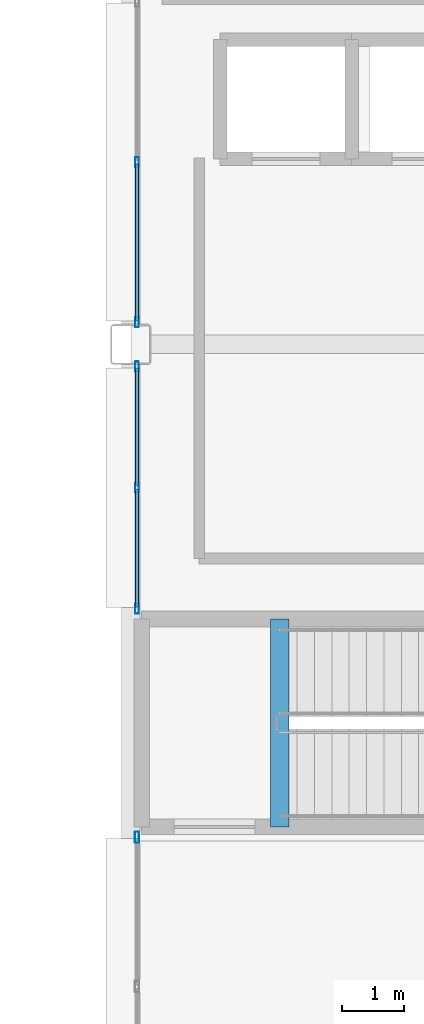
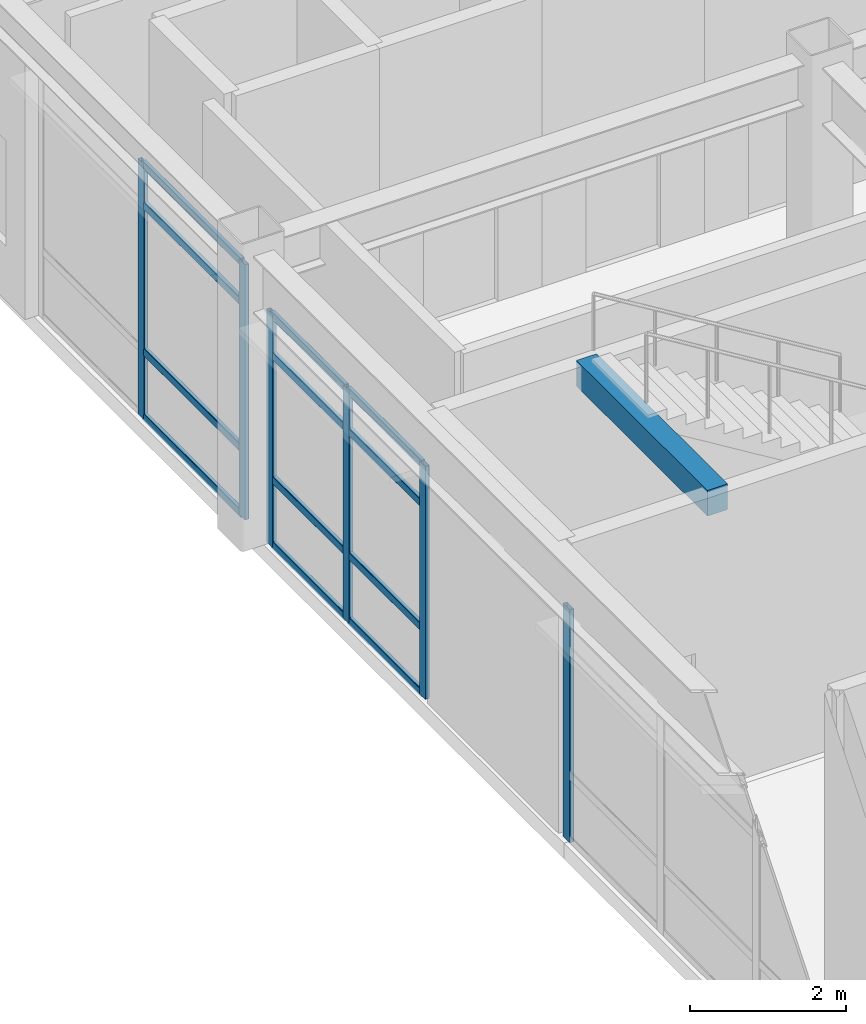
# One storey, part 58 of 93: 18 members, 1 beam, 3 elements without a shape of their own.
"""IFC4 building model written with IfcOpenShell, lengths in metres."""

from ifc_helpers import new_model, si_unit, direction, frame, origin, origin_2d, place, context, subcontext, project, spatial, rectangle, hollow_rectangle, extrude, material, layer, layer_set, material_profile, profile_set, type_object, element, aggregate, save


model = new_model("IFC4")

# Units and contexts
model_context = context("Model", 3, precision=1e-05, world=origin(), true_north=direction((0.0, 1.0)))
body_context = subcontext(model_context, "Body", "Model", "MODEL_VIEW")
ifc_project = project(units=[si_unit("LENGTHUNIT", "METRE"), si_unit("AREAUNIT", "SQUARE_METRE"), si_unit("VOLUMEUNIT", "CUBIC_METRE"), si_unit("PLANEANGLEUNIT", "RADIAN"), si_unit("MASSUNIT", "GRAM", prefix="KILO")], contexts=[model_context])

# Site, building, storey
site_placement = place(None, origin())
site = spatial("IfcSite", under=ifc_project, at=site_placement, CompositionType="ELEMENT")
building_placement = place(site_placement, origin())
building = spatial("IfcBuilding", under=site, at=building_placement, Name="Kazehara Bluff Congress Hotel", CompositionType="ELEMENT")
storey_placement = place(building_placement, frame((0.0, 0.0, 15.0)))
storey = spatial("IfcBuildingStorey", under=building, at=storey_placement, Name="L03", CompositionType="ELEMENT", Elevation=15.0)

# Curtain wall, members
ifc_material_1 = material(Name="Anodised aluminium", Category="aluminium")
ifc_layer_1 = layer(ifc_material_1, 0.159912109375)
ifc_layer_set_1 = layer_set([ifc_layer_1], Name="Anodised aluminium")
curtain_wall_type_1 = type_object("IfcCurtainWallType", Name="TP-CW-150", PredefinedType="NOTDEFINED", material=ifc_layer_set_1)
curtain_wall_1_placement = place(storey_placement, origin())
curtain_wall_1 = element("IfcCurtainWall", 1, at=curtain_wall_1_placement, inside=storey, type_object=curtain_wall_type_1, Name="L03 curtain wall CW-150 CW-ENC-V5-L03-14380-5414", PredefinedType="NOTDEFINED")
ifc_material_2 = material(Name="Anodised aluminium", Category="aluminium")
ifc_material_profile_1 = material_profile(ifc_material_2, hollow_rectangle(XDim=0.06005859375, YDim=0.159912109375, WallThickness=0.00390625, InnerFilletRadius=0.00390625, OuterFilletRadius=0.008056640625, at=origin_2d()))
ifc_profile_set_1 = profile_set([ifc_material_profile_1], Name="Anodised aluminium")
member_type_1 = type_object("IfcMemberType", Name="TP-CWM-01", PredefinedType="MULLION", material=ifc_profile_set_1)
member_1_placement = place(storey_placement, frame((143.800048828125, 52.18994140625, 0.0), z_axis=(0.0, 0.0, 1.0), x_axis=(-1.0, 0.0, 0.0)))
member_1 = element("IfcMember", 2, at=member_1_placement, type_object=member_type_1, Name="CW-150 mullion 1", PredefinedType="MULLION", context=body_context, shape_type="SweptSolid", body=[
    extrude(hollow_rectangle(XDim=0.06005859375, YDim=0.159912109375, WallThickness=0.00390625, InnerFilletRadius=0.00390625, OuterFilletRadius=0.008056640625, at=origin_2d()), origin(), (0.0, 0.0, 1.0), 3.635009765625),
])
member_2_placement = place(storey_placement, frame((143.800048828125, 54.142578125, 0.0), z_axis=(0.0, 0.0, 1.0), x_axis=(-1.0, 0.0, 0.0)))
member_2 = element("IfcMember", 3, at=member_2_placement, type_object=member_type_1, Name="CW-150 mullion 2", PredefinedType="MULLION", context=body_context, shape_type="SweptSolid", body=[
    extrude(hollow_rectangle(XDim=0.06005859375, YDim=0.159912109375, WallThickness=0.00390625, InnerFilletRadius=0.00390625, OuterFilletRadius=0.008056640625, at=origin_2d()), origin(), (0.0, 0.0, 1.0), 3.635009765625),
])
member_3_placement = place(storey_placement, frame((143.800048828125, 56.094970703125, 0.0), z_axis=(0.0, 0.0, 1.0), x_axis=(-1.0, 0.0, 0.0)))
member_3 = element("IfcMember", 4, at=member_3_placement, type_object=member_type_1, Name="CW-150 mullion 3", PredefinedType="MULLION", context=body_context, shape_type="SweptSolid", body=[
    extrude(hollow_rectangle(XDim=0.06005859375, YDim=0.159912109375, WallThickness=0.00390625, InnerFilletRadius=0.00390625, OuterFilletRadius=0.008056640625, at=origin_2d()), origin(), (0.0, 0.0, 1.0), 3.635009765625),
])

ifc_material_3 = material(Name="Anodised aluminium", Category="aluminium")
ifc_layer_2 = layer(ifc_material_3, 0.159912109375)
ifc_layer_set_2 = layer_set([ifc_layer_2], Name="Anodised aluminium")
curtain_wall_type_2 = type_object("IfcCurtainWallType", Name="TP-CW-151", PredefinedType="NOTDEFINED", material=ifc_layer_set_2)
curtain_wall_2_placement = place(storey_placement, origin())
curtain_wall_2 = element("IfcCurtainWall", 5, at=curtain_wall_2_placement, inside=storey, type_object=curtain_wall_type_2, Name="L03 curtain wall CW-151 CW-ENC-V5-L03-14380-5939", PredefinedType="NOTDEFINED")
member_4_placement = place(storey_placement, frame((143.800048828125, 56.804931640625, 0.0), z_axis=(0.0, 0.0, 1.0), x_axis=(-1.0, 0.0, 0.0)))
member_4 = element("IfcMember", 6, at=member_4_placement, type_object=member_type_1, Name="CW-151 mullion 1", PredefinedType="MULLION", context=body_context, shape_type="SweptSolid", body=[
    extrude(hollow_rectangle(XDim=0.06005859375, YDim=0.159912109375, WallThickness=0.00390625, InnerFilletRadius=0.00390625, OuterFilletRadius=0.008056640625, at=origin_2d()), origin(), (0.0, 0.0, 1.0), 3.985107421875),
])
member_5_placement = place(storey_placement, frame((143.800048828125, 59.387451171875, 0.0), z_axis=(0.0, 0.0, 1.0), x_axis=(-1.0, 0.0, 0.0)))
member_5 = element("IfcMember", 7, at=member_5_placement, type_object=member_type_1, Name="CW-151 mullion 2", PredefinedType="MULLION", context=body_context, shape_type="SweptSolid", body=[
    extrude(hollow_rectangle(XDim=0.06005859375, YDim=0.159912109375, WallThickness=0.00390625, InnerFilletRadius=0.00390625, OuterFilletRadius=0.008056640625, at=origin_2d()), origin(), (0.0, 0.0, 1.0), 3.985107421875),
])

# Curtain wall, member
ifc_material_4 = material(Name="Anodised aluminium", Category="aluminium")
ifc_layer_3 = layer(ifc_material_4, 0.159912109375)
ifc_layer_set_3 = layer_set([ifc_layer_3], Name="Anodised aluminium")
curtain_wall_type_3 = type_object("IfcCurtainWallType", Name="TP-CW-149", PredefinedType="NOTDEFINED", material=ifc_layer_set_3)
curtain_wall_3_placement = place(storey_placement, origin())
curtain_wall_3 = element("IfcCurtainWall", 8, at=curtain_wall_3_placement, inside=storey, type_object=curtain_wall_type_3, Name="L03 curtain wall CW-149 CW-ENC-V5-L03-14380-4488", PredefinedType="NOTDEFINED")
ifc_material_5 = material(Name="Anodised aluminium", Category="aluminium")
ifc_material_profile_2 = material_profile(ifc_material_5, hollow_rectangle(XDim=0.06494140625, YDim=0.179931640625, WallThickness=0.00390625, InnerFilletRadius=0.00390625, OuterFilletRadius=0.008056640625, at=origin_2d()))
ifc_profile_set_2 = profile_set([ifc_material_profile_2], Name="Anodised aluminium")
member_type_2 = type_object("IfcMemberType", Name="TP-CWM-02", PredefinedType="MULLION", material=ifc_profile_set_2)
member_6_placement = place(storey_placement, frame((143.800048828125, 48.507568359375, 0.0), z_axis=(0.0, 0.0, 1.0), x_axis=(-1.0, 0.0, 0.0)))
member_6 = element("IfcMember", 9, at=member_6_placement, type_object=member_type_2, Name="CW-149 mullion 4", PredefinedType="MULLION", context=body_context, shape_type="SweptSolid", body=[
    extrude(hollow_rectangle(XDim=0.06494140625, YDim=0.179931640625, WallThickness=0.00390625, InnerFilletRadius=0.00390625, OuterFilletRadius=0.008056640625, at=origin_2d()), origin(), (0.0, 0.0, 1.0), 3.635009765625),
])
aggregate(curtain_wall_3, [member_6])

# Member
ifc_material_6 = material(Name="Anodised aluminium", Category="aluminium")
ifc_material_profile_3 = material_profile(ifc_material_6, hollow_rectangle(XDim=0.06005859375, YDim=0.1201171875, WallThickness=0.00390625, InnerFilletRadius=0.00390625, OuterFilletRadius=0.008056640625, at=origin_2d()))
ifc_profile_set_3 = profile_set([ifc_material_profile_3], Name="Anodised aluminium")
member_type_3 = type_object("IfcMemberType", Name="TP-CWT-01", PredefinedType="USERDEFINED", material=ifc_profile_set_3)
member_7_placement = place(storey_placement, frame((143.800048828125, 52.219970703125, 0.030029296875), z_axis=(0.0, 1.0, 0.0), x_axis=(-1.0, 0.0, 0.0)))
member_7 = element("IfcMember", 10, at=member_7_placement, type_object=member_type_3, Name="CW-150 transom 1.1", ObjectType="TRANSOM", PredefinedType="USERDEFINED", context=body_context, shape_type="SweptSolid", body=[
    extrude(hollow_rectangle(XDim=0.06005859375, YDim=0.1201171875, WallThickness=0.00390625, InnerFilletRadius=0.00390625, OuterFilletRadius=0.008056640625, at=origin_2d()), origin(), (0.0, 0.0, 1.0), 1.892578125),
])

member_8_placement = place(storey_placement, frame((143.800048828125, 52.219970703125, 1.050048828125), z_axis=(0.0, 1.0, 0.0), x_axis=(-1.0, 0.0, 0.0)))
member_8 = element("IfcMember", 11, at=member_8_placement, type_object=member_type_3, Name="CW-150 transom 1.2", ObjectType="TRANSOM", PredefinedType="USERDEFINED", context=body_context, shape_type="SweptSolid", body=[
    extrude(hollow_rectangle(XDim=0.06005859375, YDim=0.1201171875, WallThickness=0.00390625, InnerFilletRadius=0.00390625, OuterFilletRadius=0.008056640625, at=origin_2d()), origin(), (0.0, 0.0, 1.0), 1.892578125),
])

member_9_placement = place(storey_placement, frame((143.800048828125, 52.219970703125, 2.985107421875), z_axis=(0.0, 1.0, 0.0), x_axis=(-1.0, 0.0, 0.0)))
member_9 = element("IfcMember", 12, at=member_9_placement, type_object=member_type_3, Name="CW-150 transom 1.3", ObjectType="TRANSOM", PredefinedType="USERDEFINED", context=body_context, shape_type="SweptSolid", body=[
    extrude(hollow_rectangle(XDim=0.06005859375, YDim=0.1201171875, WallThickness=0.00390625, InnerFilletRadius=0.00390625, OuterFilletRadius=0.008056640625, at=origin_2d()), origin(), (0.0, 0.0, 1.0), 1.892578125),
])

member_10_placement = place(storey_placement, frame((143.800048828125, 52.219970703125, 3.60498046875), z_axis=(0.0, 1.0, 0.0), x_axis=(-1.0, 0.0, 0.0)))
member_10 = element("IfcMember", 13, at=member_10_placement, type_object=member_type_3, Name="CW-150 transom 1.4", ObjectType="TRANSOM", PredefinedType="USERDEFINED", context=body_context, shape_type="SweptSolid", body=[
    extrude(hollow_rectangle(XDim=0.06005859375, YDim=0.1201171875, WallThickness=0.00390625, InnerFilletRadius=0.00390625, OuterFilletRadius=0.008056640625, at=origin_2d()), origin(), (0.0, 0.0, 1.0), 1.892578125),
])

member_11_placement = place(storey_placement, frame((143.800048828125, 54.172607421875, 0.030029296875), z_axis=(0.0, 1.0, 0.0), x_axis=(-1.0, 0.0, 0.0)))
member_11 = element("IfcMember", 14, at=member_11_placement, type_object=member_type_3, Name="CW-150 transom 2.1", ObjectType="TRANSOM", PredefinedType="USERDEFINED", context=body_context, shape_type="SweptSolid", body=[
    extrude(hollow_rectangle(XDim=0.06005859375, YDim=0.1201171875, WallThickness=0.00390625, InnerFilletRadius=0.00390625, OuterFilletRadius=0.008056640625, at=origin_2d()), origin(), (0.0, 0.0, 1.0), 1.892333984375),
])

member_12_placement = place(storey_placement, frame((143.800048828125, 54.172607421875, 1.050048828125), z_axis=(0.0, 1.0, 0.0), x_axis=(-1.0, 0.0, 0.0)))
member_12 = element("IfcMember", 15, at=member_12_placement, type_object=member_type_3, Name="CW-150 transom 2.2", ObjectType="TRANSOM", PredefinedType="USERDEFINED", context=body_context, shape_type="SweptSolid", body=[
    extrude(hollow_rectangle(XDim=0.06005859375, YDim=0.1201171875, WallThickness=0.00390625, InnerFilletRadius=0.00390625, OuterFilletRadius=0.008056640625, at=origin_2d()), origin(), (0.0, 0.0, 1.0), 1.892333984375),
])

member_13_placement = place(storey_placement, frame((143.800048828125, 54.172607421875, 2.985107421875), z_axis=(0.0, 1.0, 0.0), x_axis=(-1.0, 0.0, 0.0)))
member_13 = element("IfcMember", 16, at=member_13_placement, type_object=member_type_3, Name="CW-150 transom 2.3", ObjectType="TRANSOM", PredefinedType="USERDEFINED", context=body_context, shape_type="SweptSolid", body=[
    extrude(hollow_rectangle(XDim=0.06005859375, YDim=0.1201171875, WallThickness=0.00390625, InnerFilletRadius=0.00390625, OuterFilletRadius=0.008056640625, at=origin_2d()), origin(), (0.0, 0.0, 1.0), 1.892333984375),
])

member_14_placement = place(storey_placement, frame((143.800048828125, 54.172607421875, 3.60498046875), z_axis=(0.0, 1.0, 0.0), x_axis=(-1.0, 0.0, 0.0)))
member_14 = element("IfcMember", 17, at=member_14_placement, type_object=member_type_3, Name="CW-150 transom 2.4", ObjectType="TRANSOM", PredefinedType="USERDEFINED", context=body_context, shape_type="SweptSolid", body=[
    extrude(hollow_rectangle(XDim=0.06005859375, YDim=0.1201171875, WallThickness=0.00390625, InnerFilletRadius=0.00390625, OuterFilletRadius=0.008056640625, at=origin_2d()), origin(), (0.0, 0.0, 1.0), 1.892333984375),
])

aggregate(curtain_wall_1, [member_1, member_2, member_3, member_7, member_8, member_9, member_10, member_11, member_12, member_13, member_14])

member_15_placement = place(storey_placement, frame((143.800048828125, 56.8349609375, 0.030029296875), z_axis=(0.0, 1.0, 0.0), x_axis=(-1.0, 0.0, 0.0)))
member_15 = element("IfcMember", 18, at=member_15_placement, type_object=member_type_3, Name="CW-151 transom 1.1", ObjectType="TRANSOM", PredefinedType="USERDEFINED", context=body_context, shape_type="SweptSolid", body=[
    extrude(hollow_rectangle(XDim=0.06005859375, YDim=0.1201171875, WallThickness=0.00390625, InnerFilletRadius=0.00390625, OuterFilletRadius=0.008056640625, at=origin_2d()), origin(), (0.0, 0.0, 1.0), 2.5224609375),
])

member_16_placement = place(storey_placement, frame((143.800048828125, 56.8349609375, 1.050048828125), z_axis=(0.0, 1.0, 0.0), x_axis=(-1.0, 0.0, 0.0)))
member_16 = element("IfcMember", 19, at=member_16_placement, type_object=member_type_3, Name="CW-151 transom 1.2", ObjectType="TRANSOM", PredefinedType="USERDEFINED", context=body_context, shape_type="SweptSolid", body=[
    extrude(hollow_rectangle(XDim=0.06005859375, YDim=0.1201171875, WallThickness=0.00390625, InnerFilletRadius=0.00390625, OuterFilletRadius=0.008056640625, at=origin_2d()), origin(), (0.0, 0.0, 1.0), 2.5224609375),
])

member_17_placement = place(storey_placement, frame((143.800048828125, 56.8349609375, 3.3349609375), z_axis=(0.0, 1.0, 0.0), x_axis=(-1.0, 0.0, 0.0)))
member_17 = element("IfcMember", 20, at=member_17_placement, type_object=member_type_3, Name="CW-151 transom 1.3", ObjectType="TRANSOM", PredefinedType="USERDEFINED", context=body_context, shape_type="SweptSolid", body=[
    extrude(hollow_rectangle(XDim=0.06005859375, YDim=0.1201171875, WallThickness=0.00390625, InnerFilletRadius=0.00390625, OuterFilletRadius=0.008056640625, at=origin_2d()), origin(), (0.0, 0.0, 1.0), 2.5224609375),
])

member_18_placement = place(storey_placement, frame((143.800048828125, 56.8349609375, 3.955078125), z_axis=(0.0, 1.0, 0.0), x_axis=(-1.0, 0.0, 0.0)))
member_18 = element("IfcMember", 21, at=member_18_placement, type_object=member_type_3, Name="CW-151 transom 1.4", ObjectType="TRANSOM", PredefinedType="USERDEFINED", context=body_context, shape_type="SweptSolid", body=[
    extrude(hollow_rectangle(XDim=0.06005859375, YDim=0.1201171875, WallThickness=0.00390625, InnerFilletRadius=0.00390625, OuterFilletRadius=0.008056640625, at=origin_2d()), origin(), (0.0, 0.0, 1.0), 2.5224609375),
])

aggregate(curtain_wall_2, [member_4, member_5, member_15, member_16, member_17, member_18])

# Beam
ifc_material_7 = material(Name="Concrete C40/50", Category="concrete")
ifc_material_profile_4 = material_profile(ifc_material_7, rectangle(XDim=0.300048828125, YDim=0.39990234375, at=origin_2d()))
ifc_profile_set_4 = profile_set([ifc_material_profile_4], Name="Concrete C40/50")
beam_type = type_object("IfcBeamType", Name="TP-LN-02", PredefinedType="LINTEL", material=ifc_profile_set_4)
beam_placement = place(storey_placement, frame((146.10009765625, 48.675048828125, 4.3798828125), z_axis=(0.0, 1.0, 0.0), x_axis=(-1.0, 0.0, 0.0)))
element("IfcBeam", 22, at=beam_placement, inside=storey, type_object=beam_type, Name="L04 ST-11 stairwell trimmer beam", PredefinedType="LINTEL", context=body_context, shape_type="SweptSolid", body=[
    extrude(rectangle(XDim=0.300048828125, YDim=0.39990234375, at=origin_2d()), origin(), (0.0, 0.0, 1.0), 3.349853515625),
])

save(model, "model.ifc")
